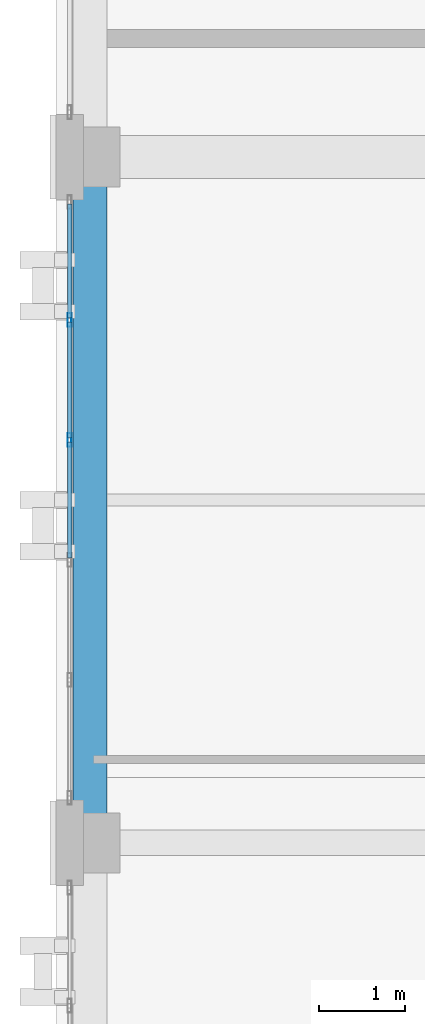
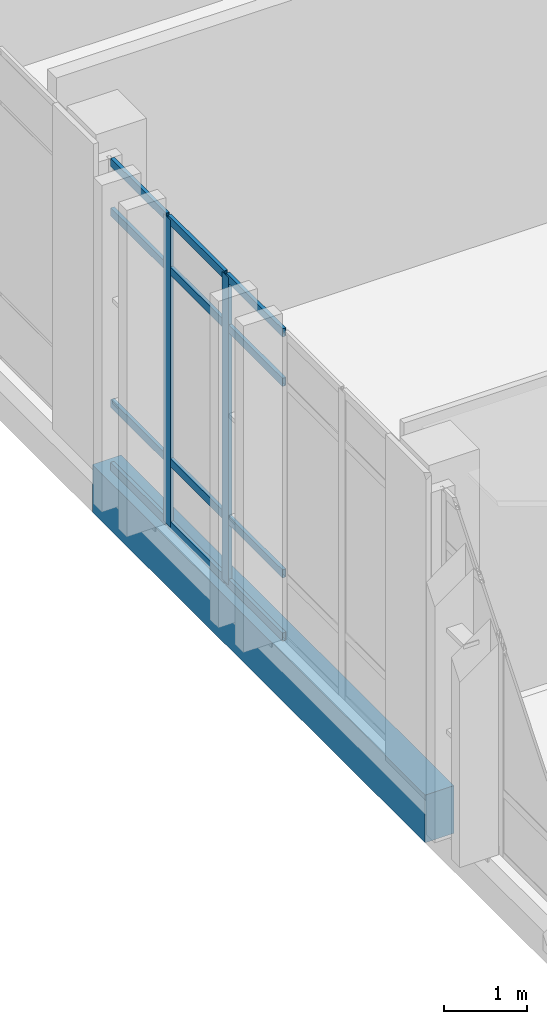
# One storey, part 67 of 189: 14 members, 1 beam, 1 element without a shape of its own.
"""IFC4 building model written with IfcOpenShell, lengths in metres."""

from ifc_helpers import new_model, si_unit, direction, frame, origin, origin_2d, place, context, subcontext, project, spatial, rectangle, hollow_rectangle, extrude, material, layer, layer_set, material_profile, profile_set, type_object, element, aggregate, save


model = new_model("IFC4")

# Units and contexts
model_context = context("Model", 3, precision=1e-05, world=origin(), true_north=direction((0.0, 1.0)))
body_context = subcontext(model_context, "Body", "Model", "MODEL_VIEW")
ifc_project = project(units=[si_unit("LENGTHUNIT", "METRE"), si_unit("AREAUNIT", "SQUARE_METRE"), si_unit("VOLUMEUNIT", "CUBIC_METRE"), si_unit("PLANEANGLEUNIT", "RADIAN"), si_unit("MASSUNIT", "GRAM", prefix="KILO")], contexts=[model_context])

# Site, building, storey
site_placement = place(None, origin())
site = spatial("IfcSite", under=ifc_project, at=site_placement, CompositionType="ELEMENT")
building_placement = place(site_placement, origin())
building = spatial("IfcBuilding", under=site, at=building_placement, Name="Qalavern Law Courts", CompositionType="ELEMENT")
storey_placement = place(building_placement, frame((0.0, 0.0, 5.39990234375)))
storey = spatial("IfcBuildingStorey", under=building, at=storey_placement, Name="L01", CompositionType="ELEMENT", Elevation=5.39990234375)

# Curtain wall, members
ifc_material_1 = material(Name="Anodised aluminium and insulated glazing", Category="aluminium")
ifc_layer = layer(ifc_material_1, 0.172119140625)
ifc_layer_set = layer_set([ifc_layer], Name="Anodised aluminium and insulated glazing")
curtain_wall_type = type_object("IfcCurtainWallType", Name="ENV-CW-COURT", PredefinedType="USERDEFINED", material=ifc_layer_set)
curtain_wall_placement = place(storey_placement, origin())
curtain_wall = element("IfcCurtainWall", 1, at=curtain_wall_placement, inside=storey, type_object=curtain_wall_type, Name="V3 unitised curtain wall L01 west 4", ObjectType="UNITISED CURTAIN WALL", PredefinedType="USERDEFINED")
ifc_material_2 = material(Name="Anodised aluminium", Category="aluminium")
ifc_material_profile_1 = material_profile(ifc_material_2, hollow_rectangle(XDim=0.048095703125, YDim=0.159912109375, WallThickness=0.00390625, at=origin_2d()), Name="ALU MULLION 48x160")
ifc_profile_set_1 = profile_set([ifc_material_profile_1], Name="Anodised aluminium")
member_type_1 = type_object("IfcMemberType", Name="ENV-CWM-48x160", PredefinedType="MULLION", material=ifc_profile_set_1)
member_1_placement = place(storey_placement, frame((2.16259765625, 71.5, 0.0), z_axis=(0.0, 0.0, 1.0), x_axis=(1.0, 0.0, 0.0)))
member_1 = element("IfcMember", 2, at=member_1_placement, type_object=member_type_1, Name="CW-03 mullion 2", PredefinedType="MULLION", context=body_context, shape_type="SweptSolid", body=[
    extrude(hollow_rectangle(XDim=0.048095703125, YDim=0.159912109375, WallThickness=0.00390625, at=origin_2d()), origin(), (0.0, 0.0, 1.0), 4.510009765625),
])
member_2_placement = place(storey_placement, frame((2.16259765625, 70.10009765625, 0.0), z_axis=(0.0, 0.0, 1.0), x_axis=(1.0, 0.0, 0.0)))
member_2 = element("IfcMember", 3, at=member_2_placement, type_object=member_type_1, Name="CW-03 mullion 3", PredefinedType="MULLION", context=body_context, shape_type="SweptSolid", body=[
    extrude(hollow_rectangle(XDim=0.048095703125, YDim=0.159912109375, WallThickness=0.00390625, at=origin_2d()), origin(), (0.0, 0.0, 1.0), 4.510009765625),
])
ifc_material_profile_2 = material_profile(ifc_material_2, hollow_rectangle(XDim=0.048095703125, YDim=0.1201171875, WallThickness=0.00390625, at=origin_2d()), Name="ALU TRANSOM 48x120")
ifc_profile_set_2 = profile_set([ifc_material_profile_2], Name="Anodised aluminium")
member_type_2 = type_object("IfcMemberType", Name="ENV-CWT-48x120", PredefinedType="USERDEFINED", material=ifc_profile_set_2)
member_3_placement = place(storey_placement, frame((2.16259765625, 72.85205078125, 0.024169921875), z_axis=(0.0, -1.0, 0.0), x_axis=(1.0, 0.0, 0.0)))
member_3 = element("IfcMember", 4, at=member_3_placement, type_object=member_type_2, Name="CW-03 transom 1.1", ObjectType="TRANSOM", PredefinedType="USERDEFINED", context=body_context, shape_type="SweptSolid", body=[
    extrude(hollow_rectangle(XDim=0.048095703125, YDim=0.1201171875, WallThickness=0.00390625, at=origin_2d()), origin(), (0.0, 0.0, 1.0), 1.328125),
])
member_4_placement = place(storey_placement, frame((2.16259765625, 72.85205078125, 0.9501953125), z_axis=(0.0, -1.0, 0.0), x_axis=(1.0, 0.0, 0.0)))
member_4 = element("IfcMember", 5, at=member_4_placement, type_object=member_type_2, Name="CW-03 transom 1.2", ObjectType="TRANSOM", PredefinedType="USERDEFINED", context=body_context, shape_type="SweptSolid", body=[
    extrude(hollow_rectangle(XDim=0.048095703125, YDim=0.1201171875, WallThickness=0.00390625, at=origin_2d()), origin(), (0.0, 0.0, 1.0), 1.328125),
])
member_5_placement = place(storey_placement, frame((2.16259765625, 72.85205078125, 3.760009765625), z_axis=(0.0, -1.0, 0.0), x_axis=(1.0, 0.0, 0.0)))
member_5 = element("IfcMember", 6, at=member_5_placement, type_object=member_type_2, Name="CW-03 transom 1.3", ObjectType="TRANSOM", PredefinedType="USERDEFINED", context=body_context, shape_type="SweptSolid", body=[
    extrude(hollow_rectangle(XDim=0.048095703125, YDim=0.1201171875, WallThickness=0.00390625, at=origin_2d()), origin(), (0.0, 0.0, 1.0), 1.328125),
])
member_6_placement = place(storey_placement, frame((2.16259765625, 72.85205078125, 4.486083984375), z_axis=(0.0, -1.0, 0.0), x_axis=(1.0, 0.0, 0.0)))
member_6 = element("IfcMember", 7, at=member_6_placement, type_object=member_type_2, Name="CW-03 transom 1.4", ObjectType="TRANSOM", PredefinedType="USERDEFINED", context=body_context, shape_type="SweptSolid", body=[
    extrude(hollow_rectangle(XDim=0.048095703125, YDim=0.1201171875, WallThickness=0.00390625, at=origin_2d()), origin(), (0.0, 0.0, 1.0), 1.328125),
])
member_7_placement = place(storey_placement, frame((2.16259765625, 71.47607421875, 0.024169921875), z_axis=(0.0, -1.0, 0.0), x_axis=(1.0, 0.0, 0.0)))
member_7 = element("IfcMember", 8, at=member_7_placement, type_object=member_type_2, Name="CW-03 transom 2.1", ObjectType="TRANSOM", PredefinedType="USERDEFINED", context=body_context, shape_type="SweptSolid", body=[
    extrude(hollow_rectangle(XDim=0.048095703125, YDim=0.1201171875, WallThickness=0.00390625, at=origin_2d()), origin(), (0.0, 0.0, 1.0), 1.35205078125),
])
member_8_placement = place(storey_placement, frame((2.16259765625, 71.47607421875, 0.9501953125), z_axis=(0.0, -1.0, 0.0), x_axis=(1.0, 0.0, 0.0)))
member_8 = element("IfcMember", 9, at=member_8_placement, type_object=member_type_2, Name="CW-03 transom 2.2", ObjectType="TRANSOM", PredefinedType="USERDEFINED", context=body_context, shape_type="SweptSolid", body=[
    extrude(hollow_rectangle(XDim=0.048095703125, YDim=0.1201171875, WallThickness=0.00390625, at=origin_2d()), origin(), (0.0, 0.0, 1.0), 1.35205078125),
])
member_9_placement = place(storey_placement, frame((2.16259765625, 71.47607421875, 3.760009765625), z_axis=(0.0, -1.0, 0.0), x_axis=(1.0, 0.0, 0.0)))
member_9 = element("IfcMember", 10, at=member_9_placement, type_object=member_type_2, Name="CW-03 transom 2.3", ObjectType="TRANSOM", PredefinedType="USERDEFINED", context=body_context, shape_type="SweptSolid", body=[
    extrude(hollow_rectangle(XDim=0.048095703125, YDim=0.1201171875, WallThickness=0.00390625, at=origin_2d()), origin(), (0.0, 0.0, 1.0), 1.35205078125),
])
member_10_placement = place(storey_placement, frame((2.16259765625, 71.47607421875, 4.486083984375), z_axis=(0.0, -1.0, 0.0), x_axis=(1.0, 0.0, 0.0)))
member_10 = element("IfcMember", 11, at=member_10_placement, type_object=member_type_2, Name="CW-03 transom 2.4", ObjectType="TRANSOM", PredefinedType="USERDEFINED", context=body_context, shape_type="SweptSolid", body=[
    extrude(hollow_rectangle(XDim=0.048095703125, YDim=0.1201171875, WallThickness=0.00390625, at=origin_2d()), origin(), (0.0, 0.0, 1.0), 1.35205078125),
])
member_11_placement = place(storey_placement, frame((2.16259765625, 70.075927734375, 0.024169921875), z_axis=(0.0, -1.0, 0.0), x_axis=(1.0, 0.0, 0.0)))
member_11 = element("IfcMember", 12, at=member_11_placement, type_object=member_type_2, Name="CW-03 transom 3.1", ObjectType="TRANSOM", PredefinedType="USERDEFINED", context=body_context, shape_type="SweptSolid", body=[
    extrude(hollow_rectangle(XDim=0.048095703125, YDim=0.1201171875, WallThickness=0.00390625, at=origin_2d()), origin(), (0.0, 0.0, 1.0), 1.351806640625),
])
member_12_placement = place(storey_placement, frame((2.16259765625, 70.075927734375, 0.9501953125), z_axis=(0.0, -1.0, 0.0), x_axis=(1.0, 0.0, 0.0)))
member_12 = element("IfcMember", 13, at=member_12_placement, type_object=member_type_2, Name="CW-03 transom 3.2", ObjectType="TRANSOM", PredefinedType="USERDEFINED", context=body_context, shape_type="SweptSolid", body=[
    extrude(hollow_rectangle(XDim=0.048095703125, YDim=0.1201171875, WallThickness=0.00390625, at=origin_2d()), origin(), (0.0, 0.0, 1.0), 1.351806640625),
])
member_13_placement = place(storey_placement, frame((2.16259765625, 70.075927734375, 3.760009765625), z_axis=(0.0, -1.0, 0.0), x_axis=(1.0, 0.0, 0.0)))
member_13 = element("IfcMember", 14, at=member_13_placement, type_object=member_type_2, Name="CW-03 transom 3.3", ObjectType="TRANSOM", PredefinedType="USERDEFINED", context=body_context, shape_type="SweptSolid", body=[
    extrude(hollow_rectangle(XDim=0.048095703125, YDim=0.1201171875, WallThickness=0.00390625, at=origin_2d()), origin(), (0.0, 0.0, 1.0), 1.351806640625),
])
member_14_placement = place(storey_placement, frame((2.16259765625, 70.075927734375, 4.486083984375), z_axis=(0.0, -1.0, 0.0), x_axis=(1.0, 0.0, 0.0)))
member_14 = element("IfcMember", 15, at=member_14_placement, type_object=member_type_2, Name="CW-03 transom 3.4", ObjectType="TRANSOM", PredefinedType="USERDEFINED", context=body_context, shape_type="SweptSolid", body=[
    extrude(hollow_rectangle(XDim=0.048095703125, YDim=0.1201171875, WallThickness=0.00390625, at=origin_2d()), origin(), (0.0, 0.0, 1.0), 1.351806640625),
])
aggregate(curtain_wall, [member_1, member_2, member_3, member_4, member_5, member_6, member_7, member_8, member_9, member_10, member_11, member_12, member_13, member_14])

# Beam
ifc_material_3 = material(Name="Concrete C40/50", Category="concrete")
ifc_material_profile_3 = material_profile(ifc_material_3, rectangle(XDim=0.39990234375, YDim=0.699951171875, at=origin_2d()), Name="RC 400x700")
ifc_profile_set_3 = profile_set([ifc_material_profile_3], Name="Concrete C40/50")
beam_type = type_object("IfcBeamType", Name="STR-SP-RC400x700", PredefinedType="SPANDREL", material=ifc_profile_set_3)
beam_placement = place(storey_placement, frame((2.39990234375, 65.39990234375, -0.64990234375), z_axis=(0.0, 1.0, 0.0), x_axis=(-1.0, 0.0, 0.0)))
element("IfcBeam", 16, at=beam_placement, inside=storey, type_object=beam_type, Name="V3 Y-beam 1-4 L01", PredefinedType="SPANDREL", context=body_context, shape_type="SweptSolid", body=[
    extrude(rectangle(XDim=0.39990234375, YDim=0.699951171875, at=origin_2d()), origin(), (0.0, 0.0, 1.0), 8.0),
])

save(model, "model.ifc")
